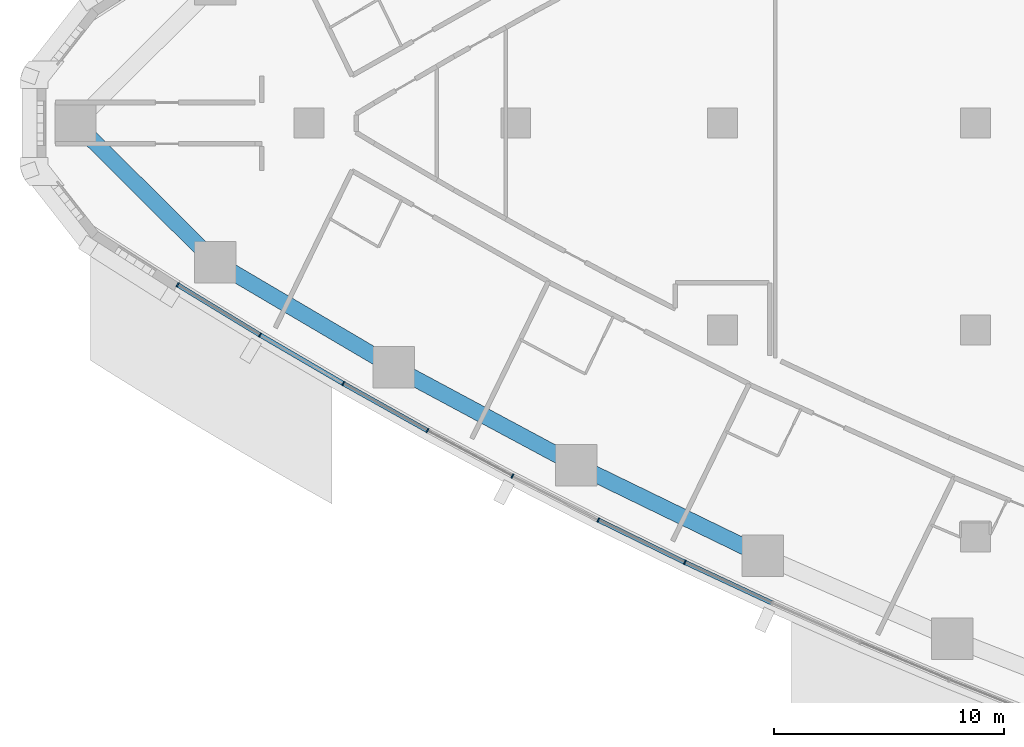
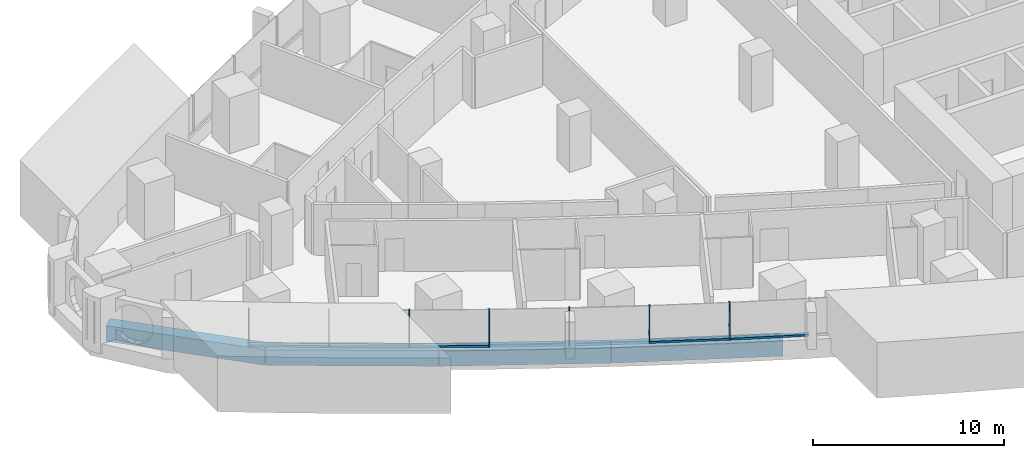
# One storey, part 2 of 19: 12 members, 4 beams, 3 elements without a shape of their own.
"""IFC4 building model written with IfcOpenShell, lengths in metres."""

from ifc_helpers import new_model, si_unit, direction, frame, origin, origin_2d, place, context, subcontext, project, spatial, rectangle, extrude, material, layer, layer_set, material_profile, profile_set, type_object, element, aggregate, save


model = new_model("IFC4")

# Units and contexts
model_context = context("Model", 3, precision=1e-05, world=origin(), true_north=direction((0.0, 1.0)))
body_context = subcontext(model_context, "Body", "Model", "MODEL_VIEW")
ifc_project = project(units=[si_unit("LENGTHUNIT", "METRE"), si_unit("AREAUNIT", "SQUARE_METRE"), si_unit("VOLUMEUNIT", "CUBIC_METRE"), si_unit("PLANEANGLEUNIT", "RADIAN"), si_unit("MASSUNIT", "GRAM", prefix="KILO")], contexts=[model_context])

# Site, building, storey
site_placement = place(None, origin())
site = spatial("IfcSite", under=ifc_project, at=site_placement, CompositionType="ELEMENT")
building_placement = place(site_placement, origin())
building = spatial("IfcBuilding", under=site, at=building_placement, Name="Ostrand Prow Hotel Tower", CompositionType="ELEMENT")
storey_placement = place(building_placement, frame((0.0, 0.0, 64.449951171875)))
storey = spatial("IfcBuildingStorey", under=building, at=storey_placement, Name="L14", CompositionType="ELEMENT", Elevation=64.449951171875)

# Beams
ifc_material_1 = material(Name="Concrete C80/95", Category="concrete")
ifc_material_profile_1 = material_profile(ifc_material_1, rectangle(XDim=0.699951171875, YDim=1.0, at=origin_2d()), Name="RC 700x1000")
ifc_profile_set_1 = profile_set([ifc_material_profile_1], Name="Concrete C80/95")
beam_type = type_object("IfcBeamType", Name="Edge beam 700x1000 C80/95", PredefinedType="SPANDREL", material=ifc_profile_set_1)
beam_1_placement = place(storey_placement, frame((5.848388671875, 0.0, -0.800048828125), z_axis=(0.709211674915, -0.70499560294, 0.0), x_axis=(0.70499560294, 0.709211674915, 0.0)))
element("IfcBeam", 1, at=beam_1_placement, inside=storey, type_object=beam_type, Name="Edge beam P-S1", PredefinedType="SPANDREL", context=body_context, shape_type="SweptSolid", body=[
    extrude(rectangle(XDim=0.699951171875, YDim=1.0, at=origin_2d()), origin(), (0.0, 0.0, 1.0), 8.5703125),
])
beam_2_placement = place(storey_placement, frame((11.926513671875, -6.0419921875, -0.800048828125), z_axis=(0.861725230108, -0.507375233722, 0.0), x_axis=(0.507375233722, 0.861725230108, 0.0)))
element("IfcBeam", 2, at=beam_2_placement, inside=storey, type_object=beam_type, Name="Edge beam S1-S2", PredefinedType="SPANDREL", context=body_context, shape_type="SweptSolid", body=[
    extrude(rectangle(XDim=0.699951171875, YDim=1.0, at=origin_2d()), origin(), (0.0, 0.0, 1.0), 9.012451171875),
])
beam_3_placement = place(storey_placement, frame((19.69287109375, -10.61474609375, -0.800048828125), z_axis=(0.881270074696, -0.472613008122, 0.0), x_axis=(0.472613008122, 0.881270074696, 0.0)))
element("IfcBeam", 3, at=beam_3_placement, inside=storey, type_object=beam_type, Name="Edge beam S2-S3", PredefinedType="SPANDREL", context=body_context, shape_type="SweptSolid", body=[
    extrude(rectangle(XDim=0.699951171875, YDim=1.0, at=origin_2d()), origin(), (0.0, 0.0, 1.0), 9.0126953125),
])
beam_4_placement = place(storey_placement, frame((27.635498046875, -14.874267578125, -0.800048828125), z_axis=(0.899382499202, -0.437162578601, 0.0), x_axis=(0.437162578601, 0.899382499202, 0.0)))
element("IfcBeam", 4, at=beam_4_placement, inside=storey, type_object=beam_type, Name="Edge beam S3-S4", PredefinedType="SPANDREL", context=body_context, shape_type="SweptSolid", body=[
    extrude(rectangle(XDim=0.699951171875, YDim=1.0, at=origin_2d()), origin(), (0.0, 0.0, 1.0), 9.012451171875),
])

# Curtain wall, members
ifc_material_2 = material(Name="Insulated glass in bronze anodised frame", Category="glass")
ifc_layer = layer(ifc_material_2, 0.199951171875)
ifc_layer_set = layer_set([ifc_layer], Name="Insulated glass in bronze anodised frame")
curtain_wall_type = type_object("IfcCurtainWallType", Name="Strip curtain wall, fritted glass over bronze spandrel", PredefinedType="NOTDEFINED", material=ifc_layer_set)
curtain_wall_1_placement = place(storey_placement, origin())
curtain_wall_1 = element("IfcCurtainWall", 5, at=curtain_wall_1_placement, inside=storey, type_object=curtain_wall_type, Name="CW1 run CWS1", PredefinedType="NOTDEFINED")
ifc_material_3 = material(Name="Bronze anodised aluminium", Category="aluminium")
ifc_material_profile_2 = material_profile(ifc_material_3, rectangle(XDim=0.199951171875, YDim=0.06005859375, at=origin_2d()), Name="Mullion 60x200 bronze anodised aluminium")
ifc_profile_set_2 = profile_set([ifc_material_profile_2], Name="Bronze anodised aluminium")
member_type_1 = type_object("IfcMemberType", Name="Mullion 60x200 bronze anodised aluminium", PredefinedType="MULLION", material=ifc_profile_set_2)
member_1_placement = place(storey_placement, frame((10.29443359375, -7.031494140625, 0.900146484375), z_axis=(0.0, 0.0, 1.0), x_axis=(0.519830761515, 0.854269266322, 0.0)))
member_1 = element("IfcMember", 6, at=member_1_placement, type_object=member_type_1, Name="CW1 mullion 1", PredefinedType="MULLION", context=body_context, shape_type="SweptSolid", body=[
    extrude(rectangle(XDim=0.199951171875, YDim=0.06005859375, at=origin_2d()), origin(), (0.0, 0.0, 1.0), 2.349853515625),
])
member_2_placement = place(storey_placement, frame((13.87744140625, -9.2119140625, 0.900146484375), z_axis=(0.0, 0.0, 1.0), x_axis=(0.50402272292, 0.863690392896, 0.0)))
member_2 = element("IfcMember", 7, at=member_2_placement, type_object=member_type_1, Name="CW1 mullion 2", PredefinedType="MULLION", context=body_context, shape_type="SweptSolid", body=[
    extrude(rectangle(XDim=0.199951171875, YDim=0.06005859375, at=origin_2d()), origin(), (0.0, 0.0, 1.0), 2.349853515625),
])
member_3_placement = place(storey_placement, frame((17.5, -11.325927734375, 0.900146484375), z_axis=(0.0, 0.0, 1.0), x_axis=(0.50402272292, 0.863690392896, 0.0)))
member_3 = element("IfcMember", 8, at=member_3_placement, type_object=member_type_1, Name="CW1 mullion 3", PredefinedType="MULLION", context=body_context, shape_type="SweptSolid", body=[
    extrude(rectangle(XDim=0.199951171875, YDim=0.06005859375, at=origin_2d()), origin(), (0.0, 0.0, 1.0), 2.349853515625),
])

curtain_wall_2_placement = place(storey_placement, origin())
curtain_wall_2 = element("IfcCurtainWall", 9, at=curtain_wall_2_placement, inside=storey, type_object=curtain_wall_type, Name="CW1 run CWS2", PredefinedType="NOTDEFINED")
member_4_placement = place(storey_placement, frame((21.160888671875, -13.372802734375, 0.900146484375), z_axis=(0.0, 0.0, 1.0), x_axis=(0.471899992481, 0.881652083929, 0.0)))
member_4 = element("IfcMember", 10, at=member_4_placement, type_object=member_type_1, Name="CW1 mullion 2", PredefinedType="MULLION", context=body_context, shape_type="SweptSolid", body=[
    extrude(rectangle(XDim=0.199951171875, YDim=0.06005859375, at=origin_2d()), origin(), (0.0, 0.0, 1.0), 2.349853515625),
])
member_5_placement = place(storey_placement, frame((24.858642578125, -15.35205078125, 0.900146484375), z_axis=(0.0, 0.0, 1.0), x_axis=(0.455596179055, 0.890186565631, 0.0)))
member_5 = element("IfcMember", 11, at=member_5_placement, type_object=member_type_1, Name="CW1 mullion 3", PredefinedType="MULLION", context=body_context, shape_type="SweptSolid", body=[
    extrude(rectangle(XDim=0.199951171875, YDim=0.06005859375, at=origin_2d()), origin(), (0.0, 0.0, 1.0), 2.349853515625),
])
member_6_placement = place(storey_placement, frame((28.59228515625, -17.262939453125, 0.900146484375), z_axis=(0.0, 0.0, 1.0), x_axis=(0.455596179055, 0.890186565631, 0.0)))
member_6 = element("IfcMember", 12, at=member_6_placement, type_object=member_type_1, Name="CW1 mullion 4", PredefinedType="MULLION", context=body_context, shape_type="SweptSolid", body=[
    extrude(rectangle(XDim=0.199951171875, YDim=0.06005859375, at=origin_2d()), origin(), (0.0, 0.0, 1.0), 2.349853515625),
])

# Curtain wall, member
curtain_wall_3_placement = place(storey_placement, origin())
curtain_wall_3 = element("IfcCurtainWall", 13, at=curtain_wall_3_placement, inside=storey, type_object=curtain_wall_type, Name="CW1 run CWS3", PredefinedType="NOTDEFINED")
member_7_placement = place(storey_placement, frame((32.360595703125, -19.10498046875, 0.900146484375), z_axis=(0.0, 0.0, 1.0), x_axis=(0.422529678615, 0.906349088757, 0.0)))
member_7 = element("IfcMember", 14, at=member_7_placement, type_object=member_type_1, Name="CW1 mullion 2", PredefinedType="MULLION", context=body_context, shape_type="SweptSolid", body=[
    extrude(rectangle(XDim=0.199951171875, YDim=0.06005859375, at=origin_2d()), origin(), (0.0, 0.0, 1.0), 2.349853515625),
])

# Member
ifc_material_4 = material(Name="Bronze anodised aluminium", Category="aluminium")
ifc_material_profile_3 = material_profile(ifc_material_4, rectangle(XDim=0.199951171875, YDim=0.1201171875, at=origin_2d()), Name="Transom 120x200 bronze anodised aluminium")
ifc_profile_set_3 = profile_set([ifc_material_profile_3], Name="Bronze anodised aluminium")
member_type_2 = type_object("IfcMemberType", Name="Transom 120x200 bronze anodised aluminium", PredefinedType="USERDEFINED", material=ifc_profile_set_3)
member_8_placement = place(storey_placement, frame((10.320068359375, -7.047119140625, 0.9599609375), z_axis=(0.8542612678, -0.519843905741, 0.0), x_axis=(0.519843905741, 0.8542612678, 0.0)))
member_8 = element("IfcMember", 15, at=member_8_placement, type_object=member_type_2, Name="CW1 transom 1.1", ObjectType="TRANSOM", PredefinedType="USERDEFINED", context=body_context, shape_type="SweptSolid", body=[
    extrude(rectangle(XDim=0.199951171875, YDim=0.1201171875, at=origin_2d()), origin(), (0.0, 0.0, 1.0), 4.13427734375),
])

member_9_placement = place(storey_placement, frame((13.9033203125, -9.22705078125, 0.9599609375), z_axis=(0.863697501622, -0.504010541251, 0.0), x_axis=(0.504010541251, 0.863697501622, 0.0)))
member_9 = element("IfcMember", 16, at=member_9_placement, type_object=member_type_2, Name="CW1 transom 2.1", ObjectType="TRANSOM", PredefinedType="USERDEFINED", context=body_context, shape_type="SweptSolid", body=[
    extrude(rectangle(XDim=0.199951171875, YDim=0.1201171875, at=origin_2d()), origin(), (0.0, 0.0, 1.0), 4.13427734375),
])

aggregate(curtain_wall_1, [member_1, member_2, member_3, member_8, member_9])

member_10_placement = place(storey_placement, frame((17.526123046875, -11.340576171875, 0.9599609375), z_axis=(0.872842137405, -0.488002667175, 0.0), x_axis=(0.488002667175, 0.872842137405, 0.0)))
member_10 = element("IfcMember", 17, at=member_10_placement, type_object=member_type_2, Name="CW1 transom 1.1", ObjectType="TRANSOM", PredefinedType="USERDEFINED", context=body_context, shape_type="SweptSolid", body=[
    extrude(rectangle(XDim=0.199951171875, YDim=0.1201171875, at=origin_2d()), origin(), (0.0, 0.0, 1.0), 4.13427734375),
])

aggregate(curtain_wall_2, [member_4, member_5, member_6, member_10])

member_11_placement = place(storey_placement, frame((28.619384765625, -17.276123046875, 0.9599609375), z_axis=(0.898395234758, -0.439187889364, 0.0), x_axis=(0.439187889364, 0.898395234758, 0.0)))
member_11 = element("IfcMember", 18, at=member_11_placement, type_object=member_type_2, Name="CW1 transom 1.1", ObjectType="TRANSOM", PredefinedType="USERDEFINED", context=body_context, shape_type="SweptSolid", body=[
    extrude(rectangle(XDim=0.199951171875, YDim=0.1201171875, at=origin_2d()), origin(), (0.0, 0.0, 1.0), 4.13427734375),
])

member_12_placement = place(storey_placement, frame((32.3876953125, -19.117431640625, 0.9599609375), z_axis=(0.906338458793, -0.422552479714, 0.0), x_axis=(0.422552479714, 0.906338458793, 0.0)))
member_12 = element("IfcMember", 19, at=member_12_placement, type_object=member_type_2, Name="CW1 transom 2.1", ObjectType="TRANSOM", PredefinedType="USERDEFINED", context=body_context, shape_type="SweptSolid", body=[
    extrude(rectangle(XDim=0.199951171875, YDim=0.1201171875, at=origin_2d()), origin(), (0.0, 0.0, 1.0), 4.134521484375),
])

aggregate(curtain_wall_3, [member_7, member_11, member_12])

save(model, "model.ifc")
